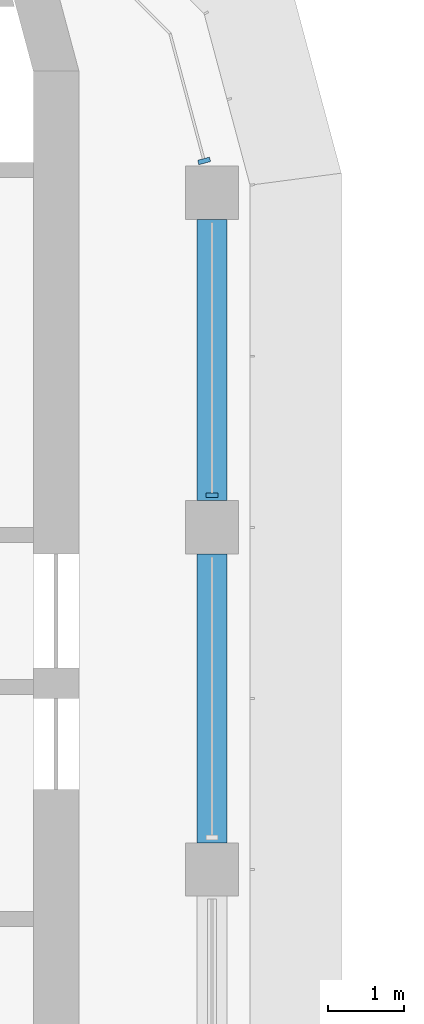
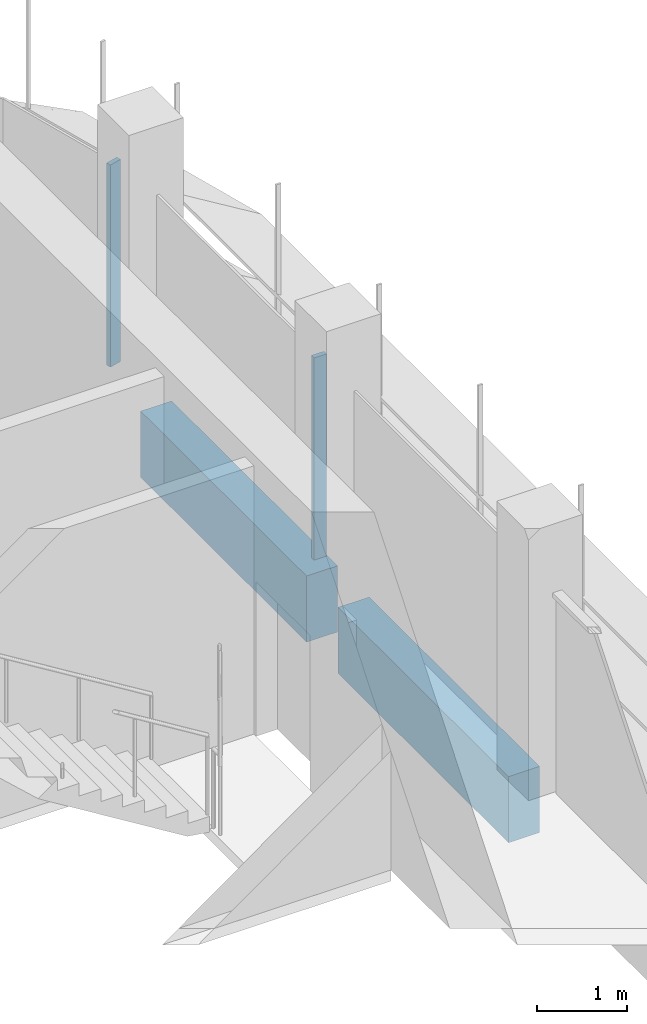
# One storey, part 10 of 19: 2 beams, 2 members, 2 elements without a shape of their own.
"""IFC4 building model written with IfcOpenShell, lengths in metres."""

from ifc_helpers import new_model, si_unit, direction, frame, origin, origin_2d, place, context, subcontext, project, spatial, polyline, rectangle, outline, extrude, source, transform, mapped, material, material_profile, profile_set, type_object, element, aggregate, save


model = new_model("IFC4")

# Units and contexts
model_context = context("Model", 3, precision=1e-05, world=origin(), true_north=direction((0.0, 1.0)))
body_context = subcontext(model_context, "Body", "Model", "MODEL_VIEW")
ifc_project = project(units=[si_unit("LENGTHUNIT", "METRE"), si_unit("AREAUNIT", "SQUARE_METRE"), si_unit("VOLUMEUNIT", "CUBIC_METRE"), si_unit("PLANEANGLEUNIT", "RADIAN"), si_unit("MASSUNIT", "GRAM", prefix="KILO")], contexts=[model_context])

# Site, building, storey
site_placement = place(None, origin())
site = spatial("IfcSite", under=ifc_project, at=site_placement, CompositionType="ELEMENT")
building_placement = place(site_placement, origin())
building = spatial("IfcBuilding", under=site, at=building_placement, Name="Zarbagh Exchange Tower", CompositionType="ELEMENT")
storey_placement = place(building_placement, frame((0.0, 0.0, 237.199951171875)))
storey = spatial("IfcBuildingStorey", under=building, at=storey_placement, Name="L58", CompositionType="ELEMENT", Elevation=237.199951171875)

# Beams
ifc_material_1 = material(Name="Concrete C50/60", Category="concrete")
ifc_material_profile = material_profile(ifc_material_1, rectangle(XDim=0.39990234375, YDim=0.89990234375, at=origin_2d()), Name="RC spandrel beam 400 x 900 C50/60")
ifc_profile_set = profile_set([ifc_material_profile], Name="Concrete C50/60")
beam_type = type_object("IfcBeamType", Name="RC spandrel beam 400 x 900 C50/60", PredefinedType="SPANDREL", material=ifc_profile_set)
beam_1_placement = place(storey_placement, frame((6.25, 24.300048828125, -0.599853515625), z_axis=(0.0, -1.0, 0.0), x_axis=(1.0, 0.0, 0.0)))
element("IfcBeam", 1, at=beam_1_placement, inside=storey, type_object=beam_type, Name="RC spandrel beam", PredefinedType="SPANDREL", context=body_context, shape_type="SweptSolid", body=[
    extrude(rectangle(XDim=0.39990234375, YDim=0.89990234375, at=origin_2d()), origin(), (0.0, 0.0, 1.0), 3.699951171875),
])
beam_2_placement = place(storey_placement, frame((6.25, 19.89990234375, -0.599853515625), z_axis=(0.0, -1.0, 0.0), x_axis=(1.0, 0.0, 0.0)))
element("IfcBeam", 2, at=beam_2_placement, inside=storey, type_object=beam_type, Name="RC spandrel beam", PredefinedType="SPANDREL", context=body_context, shape_type="SweptSolid", body=[
    extrude(rectangle(XDim=0.39990234375, YDim=0.89990234375, at=origin_2d()), origin(), (0.0, 0.0, 1.0), 3.7998046875),
])

# Curtain wall, member
ifc_material_2 = material(Name="Anodised aluminium frame and glazing", Category="aluminium")
curtain_wall_type = type_object("IfcCurtainWallType", Name="CWB Ribbon glazing, upper zones", PredefinedType="NOTDEFINED", material=ifc_material_2)
curtain_wall_1_placement = place(storey_placement, origin())
curtain_wall_1 = element("IfcCurtainWall", 3, at=curtain_wall_1_placement, inside=storey, type_object=curtain_wall_type, Name="CWB67 curtain wall", PredefinedType="NOTDEFINED")
ifc_material_3 = material(Name="Anodised aluminium frame", Category="aluminium")
member_type = type_object("IfcMemberType", Name="MUB Mullion, anodised aluminium frame", PredefinedType="MULLION", material=ifc_material_3)
shared_shape = source(origin(), body_context, "Body", "SweptSolid", [
    extrude(outline(polyline([(0.0, -0.080078125), (0.06005859375, -0.080078125), (0.06005859375, 0.080078125), (0.0, 0.080078125), (0.0, -0.080078125)])), origin(), (0.0, 0.0, 1.0), 2.75),
])
placement = place(storey_placement, origin())
member_1 = element("IfcMember", 4, at=placement, type_object=member_type, Name="CWB67 mullion 3.1", PredefinedType="MULLION", context=body_context, shape_type="MappedRepresentation", body=[
    mapped(shared_shape, transform((6.25, 20.64013671875, 0.0), x_axis=(0.0, 1.0, 0.0), y_axis=(-1.0, 0.0, 0.0), z_axis=(0.0, 0.0, 1.0))),
])
aggregate(curtain_wall_1, [member_1])

curtain_wall_2_placement = place(storey_placement, origin())
curtain_wall_2 = element("IfcCurtainWall", 5, at=curtain_wall_2_placement, inside=storey, type_object=curtain_wall_type, Name="CWB68 curtain wall", PredefinedType="NOTDEFINED")
member_2 = element("IfcMember", 6, at=placement, type_object=member_type, Name="CWB68 mullion 1.1", PredefinedType="MULLION", context=body_context, shape_type="MappedRepresentation", body=[
    mapped(shared_shape, transform((6.154541015625, 25.0400390625, 0.0), x_axis=(-0.258824779902, 0.965924289636, 0.0), y_axis=(-0.965924289636, -0.258824779902, 0.0), z_axis=(0.0, 0.0, 1.0))),
])
aggregate(curtain_wall_2, [member_2])

save(model, "model.ifc")
